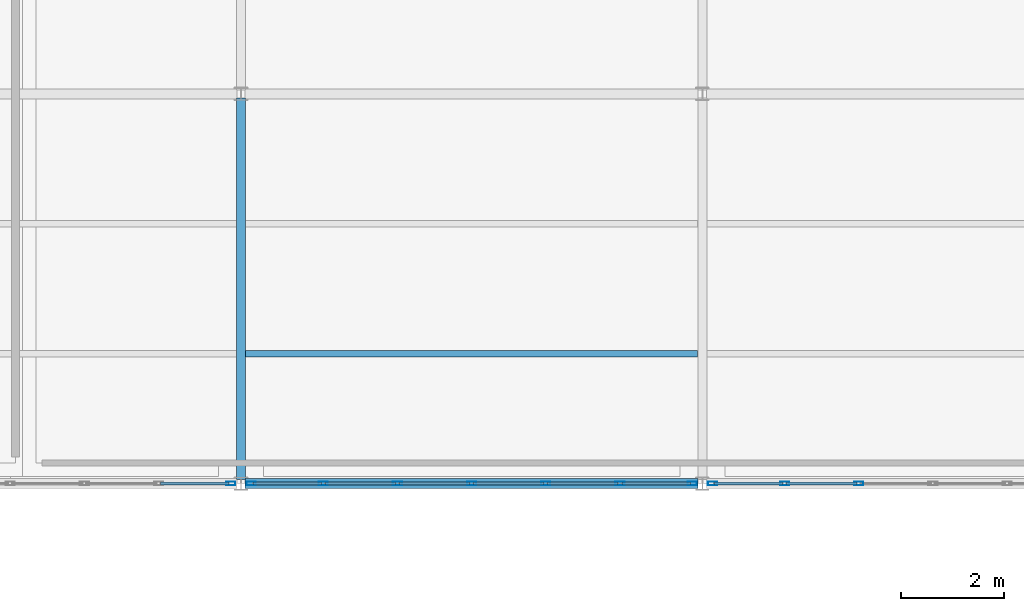
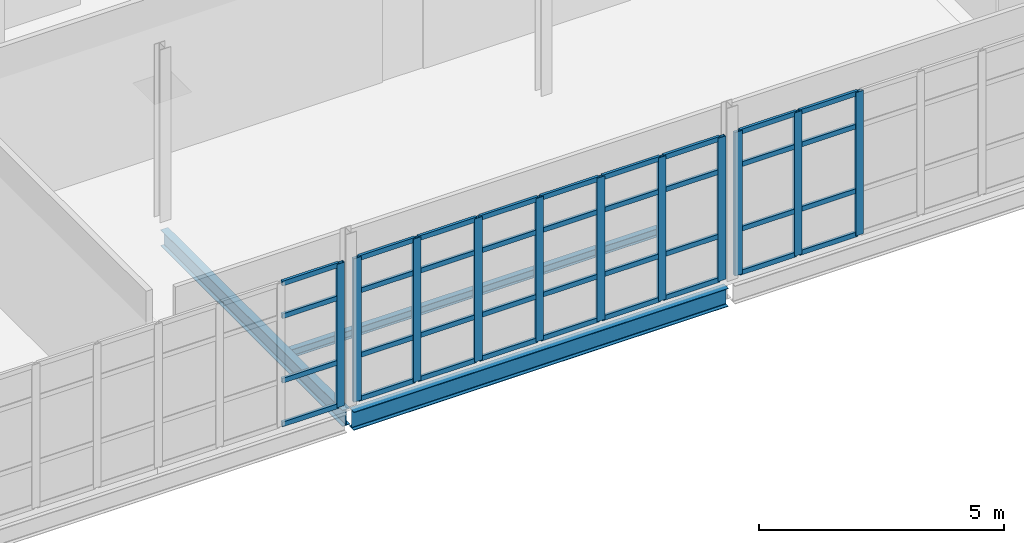
# One storey, part 83 of 166: 47 members, 3 beams, 3 elements without a shape of their own.
"""IFC4 building model written with IfcOpenShell, lengths in metres."""

from ifc_helpers import new_model, si_unit, direction, frame, origin, origin_2d, place, context, subcontext, project, spatial, hollow_rectangle, i_section, extrude, material, material_profile, profile_set, type_object, element, aggregate, save


model = new_model("IFC4")

# Units and contexts
model_context = context("Model", 3, precision=1e-05, world=origin(), true_north=direction((0.0, 1.0)))
body_context = subcontext(model_context, "Body", "Model", "MODEL_VIEW")
ifc_project = project(units=[si_unit("LENGTHUNIT", "METRE"), si_unit("AREAUNIT", "SQUARE_METRE"), si_unit("VOLUMEUNIT", "CUBIC_METRE"), si_unit("PLANEANGLEUNIT", "RADIAN"), si_unit("MASSUNIT", "GRAM", prefix="KILO")], contexts=[model_context])

# Site, building, storey
site_placement = place(None, origin())
site = spatial("IfcSite", under=ifc_project, at=site_placement, CompositionType="ELEMENT")
building_placement = place(site_placement, origin())
building = spatial("IfcBuilding", under=site, at=building_placement, Name="Caisbarro Railhouse Central Library", CompositionType="ELEMENT")
storey_placement = place(building_placement, frame((0.0, 0.0, 9.360107421875)))
storey = spatial("IfcBuildingStorey", under=building, at=storey_placement, Name="L02", CompositionType="ELEMENT", Elevation=9.360107421875)

# Beams
ifc_material_1 = material(Name="Steel ASTM A572 Grade 50", Category="steel")
ifc_material_profile_1 = material_profile(ifc_material_1, i_section(OverallWidth=0.177978515625, OverallDepth=0.406982421875, WebThickness=0.0078125, FlangeThickness=0.0126953125, FilletRadius=0.01611328125, at=origin_2d()), Name="W410X60.0")
ifc_profile_set_1 = profile_set([ifc_material_profile_1], Name="Steel ASTM A572 Grade 50")
beam_type_1 = type_object("IfcBeamType", Name="BM-G10", PredefinedType="BEAM", material=ifc_profile_set_1)
beam_1_placement = place(storey_placement, frame((81.0, 83.679931640625, -0.403564453125), z_axis=(0.0, 1.0, 0.0), x_axis=(-1.0, 0.0, 0.0)))
element("IfcBeam", 1, at=beam_1_placement, inside=storey, type_object=beam_type_1, Name="G10 beam L02 #1681", PredefinedType="BEAM", context=body_context, shape_type="SweptSolid", body=[
    extrude(i_section(OverallWidth=0.177978515625, OverallDepth=0.406982421875, WebThickness=0.0078125, FlangeThickness=0.0126953125, FilletRadius=0.01611328125, at=origin_2d()), origin(), (0.0, 0.0, 1.0), 7.440185546875),
])
ifc_material_profile_2 = material_profile(ifc_material_1, i_section(OverallWidth=0.133056640625, OverallDepth=0.20703125, WebThickness=0.005859375, FlangeThickness=0.00830078125, FilletRadius=0.010009765625, at=origin_2d()), Name="W200X26.6")
ifc_profile_set_2 = profile_set([ifc_material_profile_2], Name="Steel ASTM A572 Grade 50")
beam_type_2 = type_object("IfcBeamType", Name="BM-J07", PredefinedType="JOIST", material=ifc_profile_set_2)
beam_2_placement = place(storey_placement, frame((81.089111328125, 86.13330078125, -0.3037109375), z_axis=(1.0, 0.0, 0.0), x_axis=(0.0, 1.0, 0.0)))
element("IfcBeam", 2, at=beam_2_placement, inside=storey, type_object=beam_type_2, Name="J07 beam L02 #1708", PredefinedType="JOIST", context=body_context, shape_type="SweptSolid", body=[
    extrude(i_section(OverallWidth=0.133056640625, OverallDepth=0.20703125, WebThickness=0.005859375, FlangeThickness=0.00830078125, FilletRadius=0.010009765625, at=origin_2d()), origin(), (0.0, 0.0, 1.0), 8.82177734375),
])
ifc_material_profile_3 = material_profile(ifc_material_1, i_section(OverallWidth=0.18994140625, OverallDepth=0.45703125, WebThickness=0.009033203125, FlangeThickness=0.014404296875, FilletRadius=0.01806640625, at=origin_2d()), Name="W460X74.0")
ifc_profile_set_3 = profile_set([ifc_material_profile_3], Name="Steel ASTM A572 Grade 50")
beam_type_3 = type_object("IfcBeamType", Name="BM-SP01", PredefinedType="SPANDREL", material=ifc_profile_set_3)
beam_3_placement = place(storey_placement, frame((81.080078125, 83.60009765625, -0.4287109375), z_axis=(1.0, 0.0, 0.0), x_axis=(0.0, 1.0, 0.0)))
element("IfcBeam", 3, at=beam_3_placement, inside=storey, type_object=beam_type_3, Name="SP01 beam L02 #1655", PredefinedType="SPANDREL", context=body_context, shape_type="SweptSolid", body=[
    extrude(i_section(OverallWidth=0.18994140625, OverallDepth=0.45703125, WebThickness=0.009033203125, FlangeThickness=0.014404296875, FilletRadius=0.01806640625, at=origin_2d()), origin(), (0.0, 0.0, 1.0), 8.83984375),
])

# Curtain wall, member
ifc_material_2 = material(Name="Anodised architectural aluminium", Category="aluminium")
curtain_wall_type = type_object("IfcCurtainWallType", Name="CW-CW02", PredefinedType="NOTDEFINED", material=ifc_material_2)
curtain_wall_1_placement = place(storey_placement, origin())
curtain_wall_1 = element("IfcCurtainWall", 4, at=curtain_wall_1_placement, inside=storey, type_object=curtain_wall_type, Name="CW02 curtain wall L02 #182", PredefinedType="NOTDEFINED")
ifc_material_profile_4 = material_profile(ifc_material_2, hollow_rectangle(XDim=0.074951171875, YDim=0.179931640625, WallThickness=0.00439453125, at=origin_2d()), Name="ALU-MUL-75X180")
ifc_profile_set_4 = profile_set([ifc_material_profile_4], Name="Anodised architectural aluminium")
member_type_1 = type_object("IfcMemberType", Name="CWM-M01", PredefinedType="MULLION", material=ifc_profile_set_4)
member_1_placement = place(storey_placement, frame((80.802490234375, 83.60009765625, 0.0), z_axis=(0.0, 0.0, 1.0), x_axis=(0.0, 1.0, 0.0)))
member_1 = element("IfcMember", 5, at=member_1_placement, type_object=member_type_1, Name="CW02 mullion 7", PredefinedType="MULLION", context=body_context, shape_type="SweptSolid", body=[
    extrude(hollow_rectangle(XDim=0.074951171875, YDim=0.179931640625, WallThickness=0.00439453125, at=origin_2d()), origin(), (0.0, 0.0, 1.0), 3.579833984375),
])

# Curtain wall, members
curtain_wall_2_placement = place(storey_placement, origin())
curtain_wall_2 = element("IfcCurtainWall", 6, at=curtain_wall_2_placement, inside=storey, type_object=curtain_wall_type, Name="CW02 curtain wall L02 #184", PredefinedType="NOTDEFINED")
member_2_placement = place(storey_placement, frame((81.197509765625, 83.60009765625, 0.0), z_axis=(0.0, 0.0, 1.0), x_axis=(0.0, 1.0, 0.0)))
member_2 = element("IfcMember", 7, at=member_2_placement, type_object=member_type_1, Name="CW02 mullion 1", PredefinedType="MULLION", context=body_context, shape_type="SweptSolid", body=[
    extrude(hollow_rectangle(XDim=0.074951171875, YDim=0.179931640625, WallThickness=0.00439453125, at=origin_2d()), origin(), (0.0, 0.0, 1.0), 3.579833984375),
])
member_3_placement = place(storey_placement, frame((82.606689453125, 83.60009765625, 0.0), z_axis=(0.0, 0.0, 1.0), x_axis=(0.0, 1.0, 0.0)))
member_3 = element("IfcMember", 8, at=member_3_placement, type_object=member_type_1, Name="CW02 mullion 2", PredefinedType="MULLION", context=body_context, shape_type="SweptSolid", body=[
    extrude(hollow_rectangle(XDim=0.074951171875, YDim=0.179931640625, WallThickness=0.00439453125, at=origin_2d()), origin(), (0.0, 0.0, 1.0), 3.579833984375),
])
member_4_placement = place(storey_placement, frame((84.05322265625, 83.60009765625, 0.0), z_axis=(0.0, 0.0, 1.0), x_axis=(0.0, 1.0, 0.0)))
member_4 = element("IfcMember", 9, at=member_4_placement, type_object=member_type_1, Name="CW02 mullion 3", PredefinedType="MULLION", context=body_context, shape_type="SweptSolid", body=[
    extrude(hollow_rectangle(XDim=0.074951171875, YDim=0.179931640625, WallThickness=0.00439453125, at=origin_2d()), origin(), (0.0, 0.0, 1.0), 3.579833984375),
])
member_5_placement = place(storey_placement, frame((85.5, 83.60009765625, 0.0), z_axis=(0.0, 0.0, 1.0), x_axis=(0.0, 1.0, 0.0)))
member_5 = element("IfcMember", 10, at=member_5_placement, type_object=member_type_1, Name="CW02 mullion 4", PredefinedType="MULLION", context=body_context, shape_type="SweptSolid", body=[
    extrude(hollow_rectangle(XDim=0.074951171875, YDim=0.179931640625, WallThickness=0.00439453125, at=origin_2d()), origin(), (0.0, 0.0, 1.0), 3.579833984375),
])
member_6_placement = place(storey_placement, frame((86.94677734375, 83.60009765625, 0.0), z_axis=(0.0, 0.0, 1.0), x_axis=(0.0, 1.0, 0.0)))
member_6 = element("IfcMember", 11, at=member_6_placement, type_object=member_type_1, Name="CW02 mullion 5", PredefinedType="MULLION", context=body_context, shape_type="SweptSolid", body=[
    extrude(hollow_rectangle(XDim=0.074951171875, YDim=0.179931640625, WallThickness=0.00439453125, at=origin_2d()), origin(), (0.0, 0.0, 1.0), 3.579833984375),
])
member_7_placement = place(storey_placement, frame((88.393310546875, 83.60009765625, 0.0), z_axis=(0.0, 0.0, 1.0), x_axis=(0.0, 1.0, 0.0)))
member_7 = element("IfcMember", 12, at=member_7_placement, type_object=member_type_1, Name="CW02 mullion 6", PredefinedType="MULLION", context=body_context, shape_type="SweptSolid", body=[
    extrude(hollow_rectangle(XDim=0.074951171875, YDim=0.179931640625, WallThickness=0.00439453125, at=origin_2d()), origin(), (0.0, 0.0, 1.0), 3.579833984375),
])
member_8_placement = place(storey_placement, frame((89.802490234375, 83.60009765625, 0.0), z_axis=(0.0, 0.0, 1.0), x_axis=(0.0, 1.0, 0.0)))
member_8 = element("IfcMember", 13, at=member_8_placement, type_object=member_type_1, Name="CW02 mullion 7", PredefinedType="MULLION", context=body_context, shape_type="SweptSolid", body=[
    extrude(hollow_rectangle(XDim=0.074951171875, YDim=0.179931640625, WallThickness=0.00439453125, at=origin_2d()), origin(), (0.0, 0.0, 1.0), 3.579833984375),
])

curtain_wall_3_placement = place(storey_placement, origin())
curtain_wall_3 = element("IfcCurtainWall", 14, at=curtain_wall_3_placement, inside=storey, type_object=curtain_wall_type, Name="CW02 curtain wall L02 #185", PredefinedType="NOTDEFINED")
member_9_placement = place(storey_placement, frame((90.197509765625, 83.60009765625, 0.0), z_axis=(0.0, 0.0, 1.0), x_axis=(0.0, 1.0, 0.0)))
member_9 = element("IfcMember", 15, at=member_9_placement, type_object=member_type_1, Name="CW02 mullion 1", PredefinedType="MULLION", context=body_context, shape_type="SweptSolid", body=[
    extrude(hollow_rectangle(XDim=0.074951171875, YDim=0.179931640625, WallThickness=0.00439453125, at=origin_2d()), origin(), (0.0, 0.0, 1.0), 3.579833984375),
])
member_10_placement = place(storey_placement, frame((91.606689453125, 83.60009765625, 0.0), z_axis=(0.0, 0.0, 1.0), x_axis=(0.0, 1.0, 0.0)))
member_10 = element("IfcMember", 16, at=member_10_placement, type_object=member_type_1, Name="CW02 mullion 2", PredefinedType="MULLION", context=body_context, shape_type="SweptSolid", body=[
    extrude(hollow_rectangle(XDim=0.074951171875, YDim=0.179931640625, WallThickness=0.00439453125, at=origin_2d()), origin(), (0.0, 0.0, 1.0), 3.579833984375),
])
member_11_placement = place(storey_placement, frame((93.05322265625, 83.60009765625, 0.0), z_axis=(0.0, 0.0, 1.0), x_axis=(0.0, 1.0, 0.0)))
member_11 = element("IfcMember", 17, at=member_11_placement, type_object=member_type_1, Name="CW02 mullion 3", PredefinedType="MULLION", context=body_context, shape_type="SweptSolid", body=[
    extrude(hollow_rectangle(XDim=0.074951171875, YDim=0.179931640625, WallThickness=0.00439453125, at=origin_2d()), origin(), (0.0, 0.0, 1.0), 3.579833984375),
])

# Member
ifc_material_profile_5 = material_profile(ifc_material_2, hollow_rectangle(XDim=0.06494140625, YDim=0.1201171875, WallThickness=0.00341796875, at=origin_2d()), Name="ALU-TRN-65X120")
ifc_profile_set_5 = profile_set([ifc_material_profile_5], Name="Anodised architectural aluminium")
member_type_2 = type_object("IfcMemberType", Name="CWT-T02", PredefinedType="USERDEFINED", material=ifc_profile_set_5)
member_12_placement = place(storey_placement, frame((79.430908203125, 83.60009765625, 0.032470703125), z_axis=(1.0, 0.0, 0.0), x_axis=(0.0, 1.0, 0.0)))
member_12 = element("IfcMember", 18, at=member_12_placement, type_object=member_type_2, Name="CW02 transom 6.1", ObjectType="TRANSOM", PredefinedType="USERDEFINED", context=body_context, shape_type="SweptSolid", body=[
    extrude(hollow_rectangle(XDim=0.06494140625, YDim=0.1201171875, WallThickness=0.00341796875, at=origin_2d()), origin(), (0.0, 0.0, 1.0), 1.333984375),
])

member_13_placement = place(storey_placement, frame((79.430908203125, 83.60009765625, 1.119873046875), z_axis=(1.0, 0.0, 0.0), x_axis=(0.0, 1.0, 0.0)))
member_13 = element("IfcMember", 19, at=member_13_placement, type_object=member_type_2, Name="CW02 transom 6.2", ObjectType="TRANSOM", PredefinedType="USERDEFINED", context=body_context, shape_type="SweptSolid", body=[
    extrude(hollow_rectangle(XDim=0.06494140625, YDim=0.1201171875, WallThickness=0.00341796875, at=origin_2d()), origin(), (0.0, 0.0, 1.0), 1.333984375),
])

member_14_placement = place(storey_placement, frame((79.430908203125, 83.60009765625, 2.72998046875), z_axis=(1.0, 0.0, 0.0), x_axis=(0.0, 1.0, 0.0)))
member_14 = element("IfcMember", 20, at=member_14_placement, type_object=member_type_2, Name="CW02 transom 6.3", ObjectType="TRANSOM", PredefinedType="USERDEFINED", context=body_context, shape_type="SweptSolid", body=[
    extrude(hollow_rectangle(XDim=0.06494140625, YDim=0.1201171875, WallThickness=0.00341796875, at=origin_2d()), origin(), (0.0, 0.0, 1.0), 1.333984375),
])

member_15_placement = place(storey_placement, frame((79.430908203125, 83.60009765625, 3.54736328125), z_axis=(1.0, 0.0, 0.0), x_axis=(0.0, 1.0, 0.0)))
member_15 = element("IfcMember", 21, at=member_15_placement, type_object=member_type_2, Name="CW02 transom 6.4", ObjectType="TRANSOM", PredefinedType="USERDEFINED", context=body_context, shape_type="SweptSolid", body=[
    extrude(hollow_rectangle(XDim=0.06494140625, YDim=0.1201171875, WallThickness=0.00341796875, at=origin_2d()), origin(), (0.0, 0.0, 1.0), 1.333984375),
])

aggregate(curtain_wall_1, [member_1, member_12, member_13, member_14, member_15])

member_16_placement = place(storey_placement, frame((81.235107421875, 83.60009765625, 0.032470703125), z_axis=(1.0, 0.0, 0.0), x_axis=(0.0, 1.0, 0.0)))
member_16 = element("IfcMember", 22, at=member_16_placement, type_object=member_type_2, Name="CW02 transom 1.1", ObjectType="TRANSOM", PredefinedType="USERDEFINED", context=body_context, shape_type="SweptSolid", body=[
    extrude(hollow_rectangle(XDim=0.06494140625, YDim=0.1201171875, WallThickness=0.00341796875, at=origin_2d()), origin(), (0.0, 0.0, 1.0), 1.333984375),
])

member_17_placement = place(storey_placement, frame((81.235107421875, 83.60009765625, 1.119873046875), z_axis=(1.0, 0.0, 0.0), x_axis=(0.0, 1.0, 0.0)))
member_17 = element("IfcMember", 23, at=member_17_placement, type_object=member_type_2, Name="CW02 transom 1.2", ObjectType="TRANSOM", PredefinedType="USERDEFINED", context=body_context, shape_type="SweptSolid", body=[
    extrude(hollow_rectangle(XDim=0.06494140625, YDim=0.1201171875, WallThickness=0.00341796875, at=origin_2d()), origin(), (0.0, 0.0, 1.0), 1.333984375),
])

member_18_placement = place(storey_placement, frame((81.235107421875, 83.60009765625, 2.72998046875), z_axis=(1.0, 0.0, 0.0), x_axis=(0.0, 1.0, 0.0)))
member_18 = element("IfcMember", 24, at=member_18_placement, type_object=member_type_2, Name="CW02 transom 1.3", ObjectType="TRANSOM", PredefinedType="USERDEFINED", context=body_context, shape_type="SweptSolid", body=[
    extrude(hollow_rectangle(XDim=0.06494140625, YDim=0.1201171875, WallThickness=0.00341796875, at=origin_2d()), origin(), (0.0, 0.0, 1.0), 1.333984375),
])

member_19_placement = place(storey_placement, frame((81.235107421875, 83.60009765625, 3.54736328125), z_axis=(1.0, 0.0, 0.0), x_axis=(0.0, 1.0, 0.0)))
member_19 = element("IfcMember", 25, at=member_19_placement, type_object=member_type_2, Name="CW02 transom 1.4", ObjectType="TRANSOM", PredefinedType="USERDEFINED", context=body_context, shape_type="SweptSolid", body=[
    extrude(hollow_rectangle(XDim=0.06494140625, YDim=0.1201171875, WallThickness=0.00341796875, at=origin_2d()), origin(), (0.0, 0.0, 1.0), 1.333984375),
])

member_20_placement = place(storey_placement, frame((82.644287109375, 83.60009765625, 0.032470703125), z_axis=(1.0, 0.0, 0.0), x_axis=(0.0, 1.0, 0.0)))
member_20 = element("IfcMember", 26, at=member_20_placement, type_object=member_type_2, Name="CW02 transom 2.1", ObjectType="TRANSOM", PredefinedType="USERDEFINED", context=body_context, shape_type="SweptSolid", body=[
    extrude(hollow_rectangle(XDim=0.06494140625, YDim=0.1201171875, WallThickness=0.00341796875, at=origin_2d()), origin(), (0.0, 0.0, 1.0), 1.37158203125),
])

member_21_placement = place(storey_placement, frame((82.644287109375, 83.60009765625, 1.119873046875), z_axis=(1.0, 0.0, 0.0), x_axis=(0.0, 1.0, 0.0)))
member_21 = element("IfcMember", 27, at=member_21_placement, type_object=member_type_2, Name="CW02 transom 2.2", ObjectType="TRANSOM", PredefinedType="USERDEFINED", context=body_context, shape_type="SweptSolid", body=[
    extrude(hollow_rectangle(XDim=0.06494140625, YDim=0.1201171875, WallThickness=0.00341796875, at=origin_2d()), origin(), (0.0, 0.0, 1.0), 1.37158203125),
])

member_22_placement = place(storey_placement, frame((82.644287109375, 83.60009765625, 2.72998046875), z_axis=(1.0, 0.0, 0.0), x_axis=(0.0, 1.0, 0.0)))
member_22 = element("IfcMember", 28, at=member_22_placement, type_object=member_type_2, Name="CW02 transom 2.3", ObjectType="TRANSOM", PredefinedType="USERDEFINED", context=body_context, shape_type="SweptSolid", body=[
    extrude(hollow_rectangle(XDim=0.06494140625, YDim=0.1201171875, WallThickness=0.00341796875, at=origin_2d()), origin(), (0.0, 0.0, 1.0), 1.37158203125),
])

member_23_placement = place(storey_placement, frame((82.644287109375, 83.60009765625, 3.54736328125), z_axis=(1.0, 0.0, 0.0), x_axis=(0.0, 1.0, 0.0)))
member_23 = element("IfcMember", 29, at=member_23_placement, type_object=member_type_2, Name="CW02 transom 2.4", ObjectType="TRANSOM", PredefinedType="USERDEFINED", context=body_context, shape_type="SweptSolid", body=[
    extrude(hollow_rectangle(XDim=0.06494140625, YDim=0.1201171875, WallThickness=0.00341796875, at=origin_2d()), origin(), (0.0, 0.0, 1.0), 1.37158203125),
])

member_24_placement = place(storey_placement, frame((84.0908203125, 83.60009765625, 0.032470703125), z_axis=(1.0, 0.0, 0.0), x_axis=(0.0, 1.0, 0.0)))
member_24 = element("IfcMember", 30, at=member_24_placement, type_object=member_type_2, Name="CW02 transom 3.1", ObjectType="TRANSOM", PredefinedType="USERDEFINED", context=body_context, shape_type="SweptSolid", body=[
    extrude(hollow_rectangle(XDim=0.06494140625, YDim=0.1201171875, WallThickness=0.00341796875, at=origin_2d()), origin(), (0.0, 0.0, 1.0), 1.37158203125),
])

member_25_placement = place(storey_placement, frame((84.0908203125, 83.60009765625, 1.119873046875), z_axis=(1.0, 0.0, 0.0), x_axis=(0.0, 1.0, 0.0)))
member_25 = element("IfcMember", 31, at=member_25_placement, type_object=member_type_2, Name="CW02 transom 3.2", ObjectType="TRANSOM", PredefinedType="USERDEFINED", context=body_context, shape_type="SweptSolid", body=[
    extrude(hollow_rectangle(XDim=0.06494140625, YDim=0.1201171875, WallThickness=0.00341796875, at=origin_2d()), origin(), (0.0, 0.0, 1.0), 1.37158203125),
])

member_26_placement = place(storey_placement, frame((84.0908203125, 83.60009765625, 2.72998046875), z_axis=(1.0, 0.0, 0.0), x_axis=(0.0, 1.0, 0.0)))
member_26 = element("IfcMember", 32, at=member_26_placement, type_object=member_type_2, Name="CW02 transom 3.3", ObjectType="TRANSOM", PredefinedType="USERDEFINED", context=body_context, shape_type="SweptSolid", body=[
    extrude(hollow_rectangle(XDim=0.06494140625, YDim=0.1201171875, WallThickness=0.00341796875, at=origin_2d()), origin(), (0.0, 0.0, 1.0), 1.37158203125),
])

member_27_placement = place(storey_placement, frame((84.0908203125, 83.60009765625, 3.54736328125), z_axis=(1.0, 0.0, 0.0), x_axis=(0.0, 1.0, 0.0)))
member_27 = element("IfcMember", 33, at=member_27_placement, type_object=member_type_2, Name="CW02 transom 3.4", ObjectType="TRANSOM", PredefinedType="USERDEFINED", context=body_context, shape_type="SweptSolid", body=[
    extrude(hollow_rectangle(XDim=0.06494140625, YDim=0.1201171875, WallThickness=0.00341796875, at=origin_2d()), origin(), (0.0, 0.0, 1.0), 1.37158203125),
])

member_28_placement = place(storey_placement, frame((85.53759765625, 83.60009765625, 0.032470703125), z_axis=(1.0, 0.0, 0.0), x_axis=(0.0, 1.0, 0.0)))
member_28 = element("IfcMember", 34, at=member_28_placement, type_object=member_type_2, Name="CW02 transom 4.1", ObjectType="TRANSOM", PredefinedType="USERDEFINED", context=body_context, shape_type="SweptSolid", body=[
    extrude(hollow_rectangle(XDim=0.06494140625, YDim=0.1201171875, WallThickness=0.00341796875, at=origin_2d()), origin(), (0.0, 0.0, 1.0), 1.37158203125),
])

member_29_placement = place(storey_placement, frame((85.53759765625, 83.60009765625, 1.119873046875), z_axis=(1.0, 0.0, 0.0), x_axis=(0.0, 1.0, 0.0)))
member_29 = element("IfcMember", 35, at=member_29_placement, type_object=member_type_2, Name="CW02 transom 4.2", ObjectType="TRANSOM", PredefinedType="USERDEFINED", context=body_context, shape_type="SweptSolid", body=[
    extrude(hollow_rectangle(XDim=0.06494140625, YDim=0.1201171875, WallThickness=0.00341796875, at=origin_2d()), origin(), (0.0, 0.0, 1.0), 1.37158203125),
])

member_30_placement = place(storey_placement, frame((85.53759765625, 83.60009765625, 2.72998046875), z_axis=(1.0, 0.0, 0.0), x_axis=(0.0, 1.0, 0.0)))
member_30 = element("IfcMember", 36, at=member_30_placement, type_object=member_type_2, Name="CW02 transom 4.3", ObjectType="TRANSOM", PredefinedType="USERDEFINED", context=body_context, shape_type="SweptSolid", body=[
    extrude(hollow_rectangle(XDim=0.06494140625, YDim=0.1201171875, WallThickness=0.00341796875, at=origin_2d()), origin(), (0.0, 0.0, 1.0), 1.37158203125),
])

member_31_placement = place(storey_placement, frame((85.53759765625, 83.60009765625, 3.54736328125), z_axis=(1.0, 0.0, 0.0), x_axis=(0.0, 1.0, 0.0)))
member_31 = element("IfcMember", 37, at=member_31_placement, type_object=member_type_2, Name="CW02 transom 4.4", ObjectType="TRANSOM", PredefinedType="USERDEFINED", context=body_context, shape_type="SweptSolid", body=[
    extrude(hollow_rectangle(XDim=0.06494140625, YDim=0.1201171875, WallThickness=0.00341796875, at=origin_2d()), origin(), (0.0, 0.0, 1.0), 1.37158203125),
])

member_32_placement = place(storey_placement, frame((86.984130859375, 83.60009765625, 0.032470703125), z_axis=(1.0, 0.0, 0.0), x_axis=(0.0, 1.0, 0.0)))
member_32 = element("IfcMember", 38, at=member_32_placement, type_object=member_type_2, Name="CW02 transom 5.1", ObjectType="TRANSOM", PredefinedType="USERDEFINED", context=body_context, shape_type="SweptSolid", body=[
    extrude(hollow_rectangle(XDim=0.06494140625, YDim=0.1201171875, WallThickness=0.00341796875, at=origin_2d()), origin(), (0.0, 0.0, 1.0), 1.37158203125),
])

member_33_placement = place(storey_placement, frame((86.984130859375, 83.60009765625, 1.119873046875), z_axis=(1.0, 0.0, 0.0), x_axis=(0.0, 1.0, 0.0)))
member_33 = element("IfcMember", 39, at=member_33_placement, type_object=member_type_2, Name="CW02 transom 5.2", ObjectType="TRANSOM", PredefinedType="USERDEFINED", context=body_context, shape_type="SweptSolid", body=[
    extrude(hollow_rectangle(XDim=0.06494140625, YDim=0.1201171875, WallThickness=0.00341796875, at=origin_2d()), origin(), (0.0, 0.0, 1.0), 1.37158203125),
])

member_34_placement = place(storey_placement, frame((86.984130859375, 83.60009765625, 2.72998046875), z_axis=(1.0, 0.0, 0.0), x_axis=(0.0, 1.0, 0.0)))
member_34 = element("IfcMember", 40, at=member_34_placement, type_object=member_type_2, Name="CW02 transom 5.3", ObjectType="TRANSOM", PredefinedType="USERDEFINED", context=body_context, shape_type="SweptSolid", body=[
    extrude(hollow_rectangle(XDim=0.06494140625, YDim=0.1201171875, WallThickness=0.00341796875, at=origin_2d()), origin(), (0.0, 0.0, 1.0), 1.37158203125),
])

member_35_placement = place(storey_placement, frame((86.984130859375, 83.60009765625, 3.54736328125), z_axis=(1.0, 0.0, 0.0), x_axis=(0.0, 1.0, 0.0)))
member_35 = element("IfcMember", 41, at=member_35_placement, type_object=member_type_2, Name="CW02 transom 5.4", ObjectType="TRANSOM", PredefinedType="USERDEFINED", context=body_context, shape_type="SweptSolid", body=[
    extrude(hollow_rectangle(XDim=0.06494140625, YDim=0.1201171875, WallThickness=0.00341796875, at=origin_2d()), origin(), (0.0, 0.0, 1.0), 1.37158203125),
])

member_36_placement = place(storey_placement, frame((88.430908203125, 83.60009765625, 0.032470703125), z_axis=(1.0, 0.0, 0.0), x_axis=(0.0, 1.0, 0.0)))
member_36 = element("IfcMember", 42, at=member_36_placement, type_object=member_type_2, Name="CW02 transom 6.1", ObjectType="TRANSOM", PredefinedType="USERDEFINED", context=body_context, shape_type="SweptSolid", body=[
    extrude(hollow_rectangle(XDim=0.06494140625, YDim=0.1201171875, WallThickness=0.00341796875, at=origin_2d()), origin(), (0.0, 0.0, 1.0), 1.333984375),
])

member_37_placement = place(storey_placement, frame((88.430908203125, 83.60009765625, 1.119873046875), z_axis=(1.0, 0.0, 0.0), x_axis=(0.0, 1.0, 0.0)))
member_37 = element("IfcMember", 43, at=member_37_placement, type_object=member_type_2, Name="CW02 transom 6.2", ObjectType="TRANSOM", PredefinedType="USERDEFINED", context=body_context, shape_type="SweptSolid", body=[
    extrude(hollow_rectangle(XDim=0.06494140625, YDim=0.1201171875, WallThickness=0.00341796875, at=origin_2d()), origin(), (0.0, 0.0, 1.0), 1.333984375),
])

member_38_placement = place(storey_placement, frame((88.430908203125, 83.60009765625, 2.72998046875), z_axis=(1.0, 0.0, 0.0), x_axis=(0.0, 1.0, 0.0)))
member_38 = element("IfcMember", 44, at=member_38_placement, type_object=member_type_2, Name="CW02 transom 6.3", ObjectType="TRANSOM", PredefinedType="USERDEFINED", context=body_context, shape_type="SweptSolid", body=[
    extrude(hollow_rectangle(XDim=0.06494140625, YDim=0.1201171875, WallThickness=0.00341796875, at=origin_2d()), origin(), (0.0, 0.0, 1.0), 1.333984375),
])

member_39_placement = place(storey_placement, frame((88.430908203125, 83.60009765625, 3.54736328125), z_axis=(1.0, 0.0, 0.0), x_axis=(0.0, 1.0, 0.0)))
member_39 = element("IfcMember", 45, at=member_39_placement, type_object=member_type_2, Name="CW02 transom 6.4", ObjectType="TRANSOM", PredefinedType="USERDEFINED", context=body_context, shape_type="SweptSolid", body=[
    extrude(hollow_rectangle(XDim=0.06494140625, YDim=0.1201171875, WallThickness=0.00341796875, at=origin_2d()), origin(), (0.0, 0.0, 1.0), 1.333984375),
])

aggregate(curtain_wall_2, [member_2, member_3, member_4, member_5, member_6, member_7, member_8, member_16, member_17, member_18, member_19, member_20, member_21, member_22, member_23, member_24, member_25, member_26, member_27, member_28, member_29, member_30, member_31, member_32, member_33, member_34, member_35, member_36, member_37, member_38, member_39])

member_40_placement = place(storey_placement, frame((90.235107421875, 83.60009765625, 0.032470703125), z_axis=(1.0, 0.0, 0.0), x_axis=(0.0, 1.0, 0.0)))
member_40 = element("IfcMember", 46, at=member_40_placement, type_object=member_type_2, Name="CW02 transom 1.1", ObjectType="TRANSOM", PredefinedType="USERDEFINED", context=body_context, shape_type="SweptSolid", body=[
    extrude(hollow_rectangle(XDim=0.06494140625, YDim=0.1201171875, WallThickness=0.00341796875, at=origin_2d()), origin(), (0.0, 0.0, 1.0), 1.333984375),
])

member_41_placement = place(storey_placement, frame((90.235107421875, 83.60009765625, 1.119873046875), z_axis=(1.0, 0.0, 0.0), x_axis=(0.0, 1.0, 0.0)))
member_41 = element("IfcMember", 47, at=member_41_placement, type_object=member_type_2, Name="CW02 transom 1.2", ObjectType="TRANSOM", PredefinedType="USERDEFINED", context=body_context, shape_type="SweptSolid", body=[
    extrude(hollow_rectangle(XDim=0.06494140625, YDim=0.1201171875, WallThickness=0.00341796875, at=origin_2d()), origin(), (0.0, 0.0, 1.0), 1.333984375),
])

member_42_placement = place(storey_placement, frame((90.235107421875, 83.60009765625, 2.72998046875), z_axis=(1.0, 0.0, 0.0), x_axis=(0.0, 1.0, 0.0)))
member_42 = element("IfcMember", 48, at=member_42_placement, type_object=member_type_2, Name="CW02 transom 1.3", ObjectType="TRANSOM", PredefinedType="USERDEFINED", context=body_context, shape_type="SweptSolid", body=[
    extrude(hollow_rectangle(XDim=0.06494140625, YDim=0.1201171875, WallThickness=0.00341796875, at=origin_2d()), origin(), (0.0, 0.0, 1.0), 1.333984375),
])

member_43_placement = place(storey_placement, frame((90.235107421875, 83.60009765625, 3.54736328125), z_axis=(1.0, 0.0, 0.0), x_axis=(0.0, 1.0, 0.0)))
member_43 = element("IfcMember", 49, at=member_43_placement, type_object=member_type_2, Name="CW02 transom 1.4", ObjectType="TRANSOM", PredefinedType="USERDEFINED", context=body_context, shape_type="SweptSolid", body=[
    extrude(hollow_rectangle(XDim=0.06494140625, YDim=0.1201171875, WallThickness=0.00341796875, at=origin_2d()), origin(), (0.0, 0.0, 1.0), 1.333984375),
])

member_44_placement = place(storey_placement, frame((91.644287109375, 83.60009765625, 0.032470703125), z_axis=(1.0, 0.0, 0.0), x_axis=(0.0, 1.0, 0.0)))
member_44 = element("IfcMember", 50, at=member_44_placement, type_object=member_type_2, Name="CW02 transom 2.1", ObjectType="TRANSOM", PredefinedType="USERDEFINED", context=body_context, shape_type="SweptSolid", body=[
    extrude(hollow_rectangle(XDim=0.06494140625, YDim=0.1201171875, WallThickness=0.00341796875, at=origin_2d()), origin(), (0.0, 0.0, 1.0), 1.37158203125),
])

member_45_placement = place(storey_placement, frame((91.644287109375, 83.60009765625, 1.119873046875), z_axis=(1.0, 0.0, 0.0), x_axis=(0.0, 1.0, 0.0)))
member_45 = element("IfcMember", 51, at=member_45_placement, type_object=member_type_2, Name="CW02 transom 2.2", ObjectType="TRANSOM", PredefinedType="USERDEFINED", context=body_context, shape_type="SweptSolid", body=[
    extrude(hollow_rectangle(XDim=0.06494140625, YDim=0.1201171875, WallThickness=0.00341796875, at=origin_2d()), origin(), (0.0, 0.0, 1.0), 1.37158203125),
])

member_46_placement = place(storey_placement, frame((91.644287109375, 83.60009765625, 2.72998046875), z_axis=(1.0, 0.0, 0.0), x_axis=(0.0, 1.0, 0.0)))
member_46 = element("IfcMember", 52, at=member_46_placement, type_object=member_type_2, Name="CW02 transom 2.3", ObjectType="TRANSOM", PredefinedType="USERDEFINED", context=body_context, shape_type="SweptSolid", body=[
    extrude(hollow_rectangle(XDim=0.06494140625, YDim=0.1201171875, WallThickness=0.00341796875, at=origin_2d()), origin(), (0.0, 0.0, 1.0), 1.37158203125),
])

member_47_placement = place(storey_placement, frame((91.644287109375, 83.60009765625, 3.54736328125), z_axis=(1.0, 0.0, 0.0), x_axis=(0.0, 1.0, 0.0)))
member_47 = element("IfcMember", 53, at=member_47_placement, type_object=member_type_2, Name="CW02 transom 2.4", ObjectType="TRANSOM", PredefinedType="USERDEFINED", context=body_context, shape_type="SweptSolid", body=[
    extrude(hollow_rectangle(XDim=0.06494140625, YDim=0.1201171875, WallThickness=0.00341796875, at=origin_2d()), origin(), (0.0, 0.0, 1.0), 1.37158203125),
])

aggregate(curtain_wall_3, [member_9, member_10, member_11, member_40, member_41, member_42, member_43, member_44, member_45, member_46, member_47])

save(model, "model.ifc")
